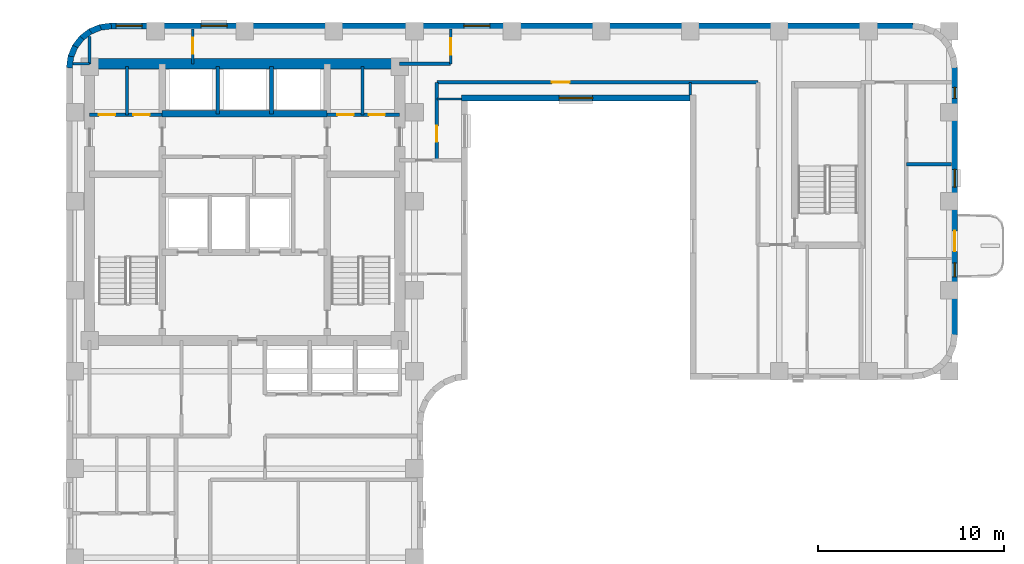
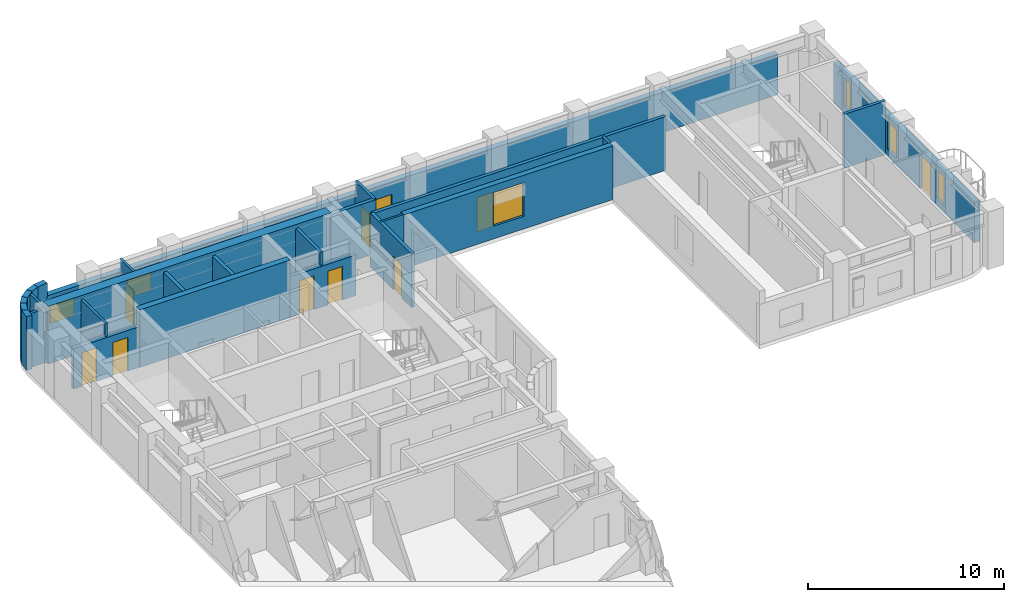
# One storey, part 6 of 10: 27 walls, 9 doors, 7 windows, 16 openings.
"""IFC4 building model written with IfcOpenShell, lengths in metres."""

from ifc_helpers import new_model, si_unit, direction, frame, frame_2d, origin, place, context, subcontext, project, spatial, rectangle, extrude, material, layer, layer_set, type_object, element, fill, save


model = new_model("IFC4")

# Units and contexts
model_context = context("Model", 3, precision=1e-05, world=origin(), true_north=direction((0.0, 1.0)))
body_context = subcontext(model_context, "Body", "Model", "MODEL_VIEW")
ifc_project = project(units=[si_unit("LENGTHUNIT", "METRE"), si_unit("AREAUNIT", "SQUARE_METRE"), si_unit("VOLUMEUNIT", "CUBIC_METRE"), si_unit("PLANEANGLEUNIT", "RADIAN"), si_unit("MASSUNIT", "GRAM", prefix="KILO")], contexts=[model_context])

# Site, building, storey
site_placement = place(None, origin())
site = spatial("IfcSite", under=ifc_project, at=site_placement, CompositionType="ELEMENT")
building_placement = place(site_placement, origin())
building = spatial("IfcBuilding", under=site, at=building_placement, Name="Orvandelia Arch Residences", CompositionType="ELEMENT")
storey_placement = place(building_placement, frame((0.0, 0.0, 182.800048828125)))
storey = spatial("IfcBuildingStorey", under=building, at=storey_placement, Name="L48", CompositionType="ELEMENT", Elevation=182.800048828125)

# Walls
ifc_material_1 = material(Name="Concrete C50/60", Category="concrete")
ifc_layer_1 = layer(ifc_material_1, 0.35009765625, Name="Concrete C50/60", Category="concrete")
ifc_layer_set_1 = layer_set([ifc_layer_1], Name="Concrete C50/60")
wall_type_1 = type_object("IfcWallType", Name="WL-CORE-350", PredefinedType="SHEAR", material=ifc_layer_set_1)
wall_1_placement = place(storey_placement, frame((9.9599609375, 43.10009765625, 0.0), z_axis=(0.0, 0.0, 1.0), x_axis=(1.0, 0.0, 0.0)))
element("IfcWall", 1, at=wall_1_placement, inside=storey, type_object=wall_type_1, Name="Core Shear Wall L48-HZ4", PredefinedType="SHEAR", context=body_context, shape_type="SweptSolid", body=[
    extrude(rectangle(XDim=8.880126953125, YDim=0.35009765625, at=frame_2d((4.43994140625, 0.0))), origin(), (0.0, 0.0, 1.0), 3.599853515625),
])
ifc_material_2 = material(Name="Concrete C60/75", Category="concrete")
ifc_layer_2 = layer(ifc_material_2, 0.550048828125, Name="Concrete C60/75", Category="concrete")
ifc_layer_set_2 = layer_set([ifc_layer_2], Name="Concrete C60/75")
wall_type_2 = type_object("IfcWallType", Name="WL-CORE-550", PredefinedType="SHEAR", material=ifc_layer_set_2)
wall_2_placement = place(storey_placement, frame((6.050048828125, 45.800048828125, 0.0), z_axis=(0.0, 0.0, 1.0), x_axis=(1.0, 0.0, 0.0)))
element("IfcWall", 2, at=wall_2_placement, inside=storey, type_object=wall_type_2, Name="Core Shear Wall L48-N", PredefinedType="SHEAR", context=body_context, shape_type="SweptSolid", body=[
    extrude(rectangle(XDim=16.699951171875, YDim=0.550048828125, at=frame_2d((8.35009765625, 0.0))), origin(), (0.0, 0.0, 1.0), 3.599853515625),
])
ifc_material_3 = material(Name="Fire-Rated Corridor Partition")
ifc_layer_3 = layer(ifc_material_3, 0.199951171875, Name="Fire-Rated Corridor Partition")
ifc_layer_set_3 = layer_set([ifc_layer_3], Name="Fire-Rated Corridor Partition")
wall_type_3 = type_object("IfcWallType", Name="WL-CORR-200", PredefinedType="PARTITIONING", material=ifc_layer_set_3)
wall_3_placement = place(storey_placement, frame((22.75, 45.800048828125, 0.0), z_axis=(0.0, 0.0, 1.0), x_axis=(1.0, 0.0, 0.0)))
element("IfcWall", 3, at=wall_3_placement, inside=storey, type_object=wall_type_3, Name="Interior Partition Wall WL-L48-NCE-S", PredefinedType="PARTITIONING", context=body_context, shape_type="SweptSolid", body=[
    extrude(rectangle(XDim=2.75, YDim=0.199951171875, at=frame_2d((1.375, 0.0))), origin(), (0.0, 0.0, 1.0), 3.35986328125),
])

# Wall, opening, door
wall_4_placement = place(storey_placement, frame((24.75, 44.800048828125, 0.0), z_axis=(0.0, 0.0, 1.0), x_axis=(1.0, 0.0, 0.0)))
wall_4 = element("IfcWall", 4, at=wall_4_placement, inside=storey, type_object=wall_type_3, Name="Interior Partition Wall WL-L48-ENP-S1", PredefinedType="PARTITIONING", context=body_context, shape_type="SweptSolid", body=[
    extrude(rectangle(XDim=17.300048828125, YDim=0.199951171875, at=frame_2d((8.64990234375, 0.0))), origin(), (0.0, 0.0, 1.0), 3.35986328125),
])
opening_1_placement = place(wall_4_placement, frame((6.199951171875, 0.0, 0.0)))
opening_1 = element("IfcOpeningElement", 5, at=opening_1_placement, cuts=wall_4, Name="Opening D2", PredefinedType="OPENING", context=body_context, shape_type="SweptSolid", body=[
    extrude(rectangle(XDim=0.949951171875, YDim=2.14990234375, at=frame_2d((0.47509765625, 1.074951171875))), frame((0.0, 0.10986328125, 0.0), z_axis=(0.0, -1.0, 0.0), x_axis=(1.0, 0.0, 0.0)), (0.0, 0.0, 1.0), 0.219970703125),
])
ifc_material_4 = material(Name="Solid-Core Timber Interior Fire Door", Category="wood")
door_type_1 = type_object("IfcDoorType", Name="DR-APT-950", OperationType="NOTDEFINED", PredefinedType="DOOR", material=ifc_material_4)
door_1_placement = place(opening_1_placement, origin())
door_1 = element("IfcDoor", 6, at=door_1_placement, inside=storey, type_object=door_type_1, Name="DR-L48-VPBRG", OperationType="SINGLE_SWING_LEFT", OverallHeight=2.14990234375, OverallWidth=0.949951171875, PredefinedType="DOOR", context=body_context, shape_type="SweptSolid", body=[
    extrude(rectangle(XDim=0.949951171875, YDim=2.14990234375, at=frame_2d((0.47509765625, 1.074951171875))), frame((0.0, 0.02490234375, 0.0), z_axis=(0.0, -1.0, 0.0), x_axis=(1.0, 0.0, 0.0)), (0.0, 0.0, 1.0), 0.050048828125),
])
fill(opening_1, door_1)

wall_5_placement = place(storey_placement, frame((24.75, 40.60009765625, 0.0), z_axis=(0.0, 0.0, 1.0), x_axis=(0.0, 1.0, 0.0)))
wall_5 = element("IfcWall", 7, at=wall_5_placement, inside=storey, type_object=wall_type_3, Name="Interior Partition Wall WL-L48-ENP-LW", PredefinedType="PARTITIONING", context=body_context, shape_type="SweptSolid", body=[
    extrude(rectangle(XDim=4.199951171875, YDim=0.199951171875, at=frame_2d((2.10009765625, 0.0))), origin(), (0.0, 0.0, 1.0), 3.35986328125),
])
opening_2_placement = place(wall_5_placement, frame((1.0, 0.0, 0.0)))
opening_2 = element("IfcOpeningElement", 8, at=opening_2_placement, cuts=wall_5, Name="Opening D4", PredefinedType="OPENING", context=body_context, shape_type="SweptSolid", body=[
    extrude(rectangle(XDim=0.860107421875, YDim=2.10009765625, at=frame_2d((0.43017578125, 1.050048828125))), frame((0.0, 0.10986328125, 0.0), z_axis=(0.0, -1.0, 0.0), x_axis=(1.0, 0.0, 0.0)), (0.0, 0.0, 1.0), 0.219970703125),
])
ifc_material_5 = material(Name="Moisture-Sealed Timber Bathroom Door", Category="wood")
door_type_2 = type_object("IfcDoorType", Name="DR-WET-900", OperationType="NOTDEFINED", PredefinedType="DOOR", material=ifc_material_5)
door_2_placement = place(opening_2_placement, origin())
door_2 = element("IfcDoor", 9, at=door_2_placement, inside=storey, type_object=door_type_2, Name="DR-L48-VPWNK", OperationType="SINGLE_SWING_RIGHT", OverallHeight=2.10009765625, OverallWidth=0.860107421875, PredefinedType="DOOR", context=body_context, shape_type="SweptSolid", body=[
    extrude(rectangle(XDim=0.860107421875, YDim=2.10009765625, at=frame_2d((0.43017578125, 1.050048828125))), frame((0.0, 0.02490234375, 0.0), z_axis=(0.0, -1.0, 0.0), x_axis=(1.0, 0.0, 0.0)), (0.0, 0.0, 1.0), 0.050048828125),
])
fill(opening_2, door_2)

# Walls
ifc_material_6 = material(Name="Precast concrete C40/50", Category="concrete")
ifc_layer_4 = layer(ifc_material_6, 0.320068359375, Name="Precast concrete C40/50", Category="concrete")
ifc_layer_set_4 = layer_set([ifc_layer_4], Name="Precast concrete C40/50")
wall_type_4 = type_object("IfcWallType", Name="WL-EXT-STONE-320", PredefinedType="STANDARD", material=ifc_layer_set_4)
for number, where, z_axis, x_axis, name in (
    (10, (4.95849609375, 45.5791015625, 0.0), (0.0, 0.0, 1.0), (0.130555323746, 0.9914410257, 0.0), "Coral-Limestone Precast Facade Wall L48-001"),
    (11, (5.029541015625, 46.159912109375, 0.0), (0.0, 0.0, 1.0), (0.382650053678, 0.92389335771, 0.0), "Coral-Limestone Precast Facade Wall L48-002"),
):
    element("IfcWall", number, at=place(storey_placement, frame(where, z_axis=z_axis, x_axis=x_axis)), inside=storey, type_object=wall_type_4, Name=name, PredefinedType="STANDARD", context=body_context, shape_type="SweptSolid", body=[
        extrude(rectangle(XDim=0.62646484375, YDim=0.320068359375, at=frame_2d((0.313232421875, 0.0))), origin(), (0.0, 0.0, 1.0), 3.35986328125),
    ])
wall_6_placement = place(storey_placement, frame((5.248291015625, 46.70263671875, 0.0), z_axis=(0.0, 0.0, 1.0), x_axis=(0.608938521285, 0.7932174212, 0.0)))
element("IfcWall", 12, at=wall_6_placement, inside=storey, type_object=wall_type_4, Name="Coral-Limestone Precast Facade Wall L48-003", PredefinedType="STANDARD", context=body_context, shape_type="SweptSolid", body=[
    extrude(rectangle(XDim=0.626708984375, YDim=0.320068359375, at=frame_2d((0.3134765625, 0.0))), origin(), (0.0, 0.0, 1.0), 3.35986328125),
])
wall_7_placement = place(storey_placement, frame((5.600341796875, 47.170166015625, 0.0), z_axis=(0.0, 0.0, 1.0), x_axis=(0.793405610854, 0.608693302629, 0.0)))
element("IfcWall", 13, at=wall_7_placement, inside=storey, type_object=wall_type_4, Name="Coral-Limestone Precast Facade Wall L48-004", PredefinedType="STANDARD", context=body_context, shape_type="SweptSolid", body=[
    extrude(rectangle(XDim=0.62646484375, YDim=0.320068359375, at=frame_2d((0.313232421875, 0.0))), origin(), (0.0, 0.0, 1.0), 3.35986328125),
])
wall_8_placement = place(storey_placement, frame((6.061279296875, 47.53076171875, 0.0), z_axis=(0.0, 0.0, 1.0), x_axis=(0.923836271867, 0.382787856107, 0.0)))
element("IfcWall", 14, at=wall_8_placement, inside=storey, type_object=wall_type_4, Name="Coral-Limestone Precast Facade Wall L48-005", PredefinedType="STANDARD", context=body_context, shape_type="SweptSolid", body=[
    extrude(rectangle(XDim=0.626220703125, YDim=0.320068359375, at=frame_2d((0.31298828125, 0.0))), origin(), (0.0, 0.0, 1.0), 3.35986328125),
])
wall_9_placement = place(storey_placement, frame((6.599609375, 47.759521484375, 0.0), z_axis=(0.0, 0.0, 1.0), x_axis=(0.991447664465, 0.130504898859, 0.0)))
element("IfcWall", 15, at=wall_9_placement, inside=storey, type_object=wall_type_4, Name="Coral-Limestone Precast Facade Wall L48-006", PredefinedType="STANDARD", context=body_context, shape_type="SweptSolid", body=[
    extrude(rectangle(XDim=0.626708984375, YDim=0.320068359375, at=frame_2d((0.3134765625, 0.0))), origin(), (0.0, 0.0, 1.0), 3.35986328125),
])

# Wall, openings, windows
wall_10_placement = place(storey_placement, frame((7.199951171875, 47.840087890625, 0.0), z_axis=(0.0, 0.0, 1.0), x_axis=(1.0, 0.0, 0.0)))
wall_10 = element("IfcWall", 16, at=wall_10_placement, inside=storey, type_object=wall_type_4, Name="Coral-Limestone Precast Facade Wall L48-007", PredefinedType="STANDARD", context=body_context, shape_type="SweptSolid", body=[
    extrude(rectangle(XDim=43.199951171875, YDim=0.320068359375, at=frame_2d((21.60009765625, 0.0))), origin(), (0.0, 0.0, 1.0), 2.5400390625),
])
opening_3_placement = place(wall_10_placement, frame((19.00244140625, 0.0, 0.64990234375)))
opening_3 = element("IfcOpeningElement", 17, at=opening_3_placement, cuts=wall_10, Name="Opening W10", PredefinedType="OPENING", context=body_context, shape_type="SweptSolid", body=[
    extrude(rectangle(XDim=1.39990234375, YDim=1.10009765625, at=frame_2d((0.699951171875, 0.550048828125))), frame((0.0, 0.169921875, 0.0), z_axis=(0.0, -1.0, 0.0), x_axis=(1.0, 0.0, 0.0)), (0.0, 0.0, 1.0), 0.340087890625),
])
opening_4_placement = place(wall_10_placement, frame((0.282470703125, 0.0, 0.64990234375)))
opening_4 = element("IfcOpeningElement", 18, at=opening_4_placement, cuts=wall_10, Name="Opening W10", PredefinedType="OPENING", context=body_context, shape_type="SweptSolid", body=[
    extrude(rectangle(XDim=1.39990234375, YDim=1.10009765625, at=frame_2d((0.699951171875, 0.550048828125))), frame((0.0, 0.169921875, 0.0), z_axis=(0.0, -1.0, 0.0), x_axis=(1.0, 0.0, 0.0)), (0.0, 0.0, 1.0), 0.340087890625),
])
opening_5_placement = place(wall_10_placement, frame((4.8525390625, 0.0, 0.64990234375)))
opening_5 = element("IfcOpeningElement", 19, at=opening_5_placement, cuts=wall_10, Name="Opening W10", PredefinedType="OPENING", context=body_context, shape_type="SweptSolid", body=[
    extrude(rectangle(XDim=1.39990234375, YDim=1.10009765625, at=frame_2d((0.699951171875, 0.550048828125))), frame((0.0, 0.169921875, 0.0), z_axis=(0.0, -1.0, 0.0), x_axis=(1.0, 0.0, 0.0)), (0.0, 0.0, 1.0), 0.340087890625),
])
ifc_material_7 = material(Name="Tempered Low-E Insulated Glazing", Category="glass")
window_type_1 = type_object("IfcWindowType", Name="WIN-CLR-1400x1100", PartitioningType="SINGLE_PANEL", PredefinedType="WINDOW", material=ifc_material_7)
window_1_placement = place(opening_3_placement, origin())
window_1 = element("IfcWindow", 20, at=window_1_placement, inside=storey, type_object=window_type_1, Name="Recessed Punched Window L48-001", OverallHeight=1.10009765625, OverallWidth=1.39990234375, PartitioningType="SINGLE_PANEL", PredefinedType="WINDOW", context=body_context, shape_type="SweptSolid", body=[
    extrude(rectangle(XDim=1.39990234375, YDim=1.10009765625, at=frame_2d((0.699951171875, 0.550048828125))), frame((0.0, 0.030029296875, 0.0), z_axis=(0.0, -1.0, 0.0), x_axis=(1.0, 0.0, 0.0)), (0.0, 0.0, 1.0), 0.06005859375),
])
fill(opening_3, window_1)
window_2_placement = place(opening_4_placement, origin())
window_2 = element("IfcWindow", 21, at=window_2_placement, inside=storey, type_object=window_type_1, Name="Recessed Punched Window L48-002", OverallHeight=1.10009765625, OverallWidth=1.39990234375, PartitioningType="SINGLE_PANEL", PredefinedType="WINDOW", context=body_context, shape_type="SweptSolid", body=[
    extrude(rectangle(XDim=1.39990234375, YDim=1.10009765625, at=frame_2d((0.699951171875, 0.550048828125))), frame((0.0, 0.030029296875, 0.0), z_axis=(0.0, -1.0, 0.0), x_axis=(1.0, 0.0, 0.0)), (0.0, 0.0, 1.0), 0.06005859375),
])
fill(opening_4, window_2)
window_3_placement = place(opening_5_placement, origin())
window_3 = element("IfcWindow", 22, at=window_3_placement, inside=storey, type_object=window_type_1, Name="Recessed Punched Window L48-003", OverallHeight=1.10009765625, OverallWidth=1.39990234375, PartitioningType="SINGLE_PANEL", PredefinedType="WINDOW", context=body_context, shape_type="SweptSolid", body=[
    extrude(rectangle(XDim=1.39990234375, YDim=1.10009765625, at=frame_2d((0.699951171875, 0.550048828125))), frame((0.0, 0.030029296875, 0.0), z_axis=(0.0, -1.0, 0.0), x_axis=(1.0, 0.0, 0.0)), (0.0, 0.0, 1.0), 0.06005859375),
])
fill(opening_5, window_3)

# Wall, openings, door, windows
wall_11_placement = place(storey_placement, frame((52.639892578125, 45.60009765625, 0.0), z_axis=(0.0, 0.0, 1.0), x_axis=(0.0, -1.0, 0.0)))
wall_11 = element("IfcWall", 23, at=wall_11_placement, inside=storey, type_object=wall_type_4, Name="Coral-Limestone Precast Facade Wall L48-014", PredefinedType="STANDARD", context=body_context, shape_type="SweptSolid", body=[
    extrude(rectangle(XDim=14.400146484375, YDim=0.320068359375, at=frame_2d((7.2001953125, 0.0))), origin(), (0.0, 0.0, 1.0), 2.5400390625),
])
opening_6_placement = place(wall_11_placement, frame((8.800048828125, 0.0, 0.0)))
opening_6 = element("IfcOpeningElement", 24, at=opening_6_placement, cuts=wall_11, Name="Opening BD1", PredefinedType="OPENING", context=body_context, shape_type="SweptSolid", body=[
    extrude(rectangle(XDim=1.10009765625, YDim=2.14990234375, at=frame_2d((0.550048828125, 1.074951171875))), frame((0.0, 0.169921875, 0.0), z_axis=(0.0, -1.0, 0.0), x_axis=(1.0, 0.0, 0.0)), (0.0, 0.0, 1.0), 0.340087890625),
])
opening_7_placement = place(wall_11_placement, frame((10.51953125, 0.0, 0.449951171875)))
opening_7 = element("IfcOpeningElement", 25, at=opening_7_placement, cuts=wall_11, Name="Opening W11", PredefinedType="OPENING", context=body_context, shape_type="SweptSolid", body=[
    extrude(rectangle(XDim=0.75, YDim=1.800048828125, at=frame_2d((0.375, 0.89990234375))), frame((0.0, 0.169921875, 0.0), z_axis=(0.0, -1.0, 0.0), x_axis=(1.0, 0.0, 0.0)), (0.0, 0.0, 1.0), 0.340087890625),
])
opening_8_placement = place(wall_11_placement, frame((1.0625, 0.0, 0.449951171875)))
opening_8 = element("IfcOpeningElement", 26, at=opening_8_placement, cuts=wall_11, Name="Opening W12", PredefinedType="OPENING", context=body_context, shape_type="SweptSolid", body=[
    extrude(rectangle(XDim=0.60009765625, YDim=1.800048828125, at=frame_2d((0.300048828125, 0.89990234375))), frame((0.0, 0.169921875, 0.0), z_axis=(0.0, -1.0, 0.0), x_axis=(1.0, 0.0, 0.0)), (0.0, 0.0, 1.0), 0.340087890625),
])
opening_9_placement = place(wall_11_placement, frame((5.486083984375, 0.0, 0.449951171875)))
opening_9 = element("IfcOpeningElement", 27, at=opening_9_placement, cuts=wall_11, Name="Opening W4", PredefinedType="OPENING", context=body_context, shape_type="SweptSolid", body=[
    extrude(rectangle(XDim=0.949951171875, YDim=1.800048828125, at=frame_2d((0.47509765625, 0.89990234375))), frame((0.0, 0.169921875, 0.0), z_axis=(0.0, -1.0, 0.0), x_axis=(1.0, 0.0, 0.0)), (0.0, 0.0, 1.0), 0.340087890625),
])
ifc_material_8 = material(Name="Thermally Broken Aluminium Glazed Door", Category="aluminium")
door_type_3 = type_object("IfcDoorType", Name="DR-BAL-GLAZ-1100", OperationType="NOTDEFINED", PredefinedType="DOOR", material=ifc_material_8)
door_3_placement = place(opening_6_placement, origin())
door_3 = element("IfcDoor", 28, at=door_3_placement, inside=storey, type_object=door_type_3, Name="Tree Balcony Glazed Door BAL-L48-E1", OperationType="SINGLE_SWING_LEFT", OverallHeight=2.14990234375, OverallWidth=1.10009765625, PredefinedType="DOOR", context=body_context, shape_type="SweptSolid", body=[
    extrude(rectangle(XDim=1.10009765625, YDim=2.14990234375, at=frame_2d((0.550048828125, 1.074951171875))), frame((0.0, 0.02490234375, 0.0), z_axis=(0.0, -1.0, 0.0), x_axis=(1.0, 0.0, 0.0)), (0.0, 0.0, 1.0), 0.050048828125),
])
fill(opening_6, door_3)
window_type_2 = type_object("IfcWindowType", Name="WIN-BED-0750x1800", PartitioningType="SINGLE_PANEL", PredefinedType="WINDOW", material=ifc_material_7)
window_4_placement = place(opening_7_placement, origin())
window_4 = element("IfcWindow", 29, at=window_4_placement, inside=storey, type_object=window_type_2, Name="Recessed Punched Window L48-004", OverallHeight=1.800048828125, OverallWidth=0.75, PartitioningType="SINGLE_PANEL", PredefinedType="WINDOW", context=body_context, shape_type="SweptSolid", body=[
    extrude(rectangle(XDim=0.75, YDim=1.800048828125, at=frame_2d((0.375, 0.89990234375))), frame((0.0, 0.030029296875, 0.0), z_axis=(0.0, -1.0, 0.0), x_axis=(1.0, 0.0, 0.0)), (0.0, 0.0, 1.0), 0.06005859375),
])
fill(opening_7, window_4)
window_type_3 = type_object("IfcWindowType", Name="WIN-LAN-0600x1800", PartitioningType="SINGLE_PANEL", PredefinedType="WINDOW", material=ifc_material_7)
window_5_placement = place(opening_8_placement, origin())
window_5 = element("IfcWindow", 30, at=window_5_placement, inside=storey, type_object=window_type_3, Name="Recessed Punched Window L48-005", OverallHeight=1.800048828125, OverallWidth=0.60009765625, PartitioningType="SINGLE_PANEL", PredefinedType="WINDOW", context=body_context, shape_type="SweptSolid", body=[
    extrude(rectangle(XDim=0.60009765625, YDim=1.800048828125, at=frame_2d((0.300048828125, 0.89990234375))), frame((0.0, 0.030029296875, 0.0), z_axis=(0.0, -1.0, 0.0), x_axis=(1.0, 0.0, 0.0)), (0.0, 0.0, 1.0), 0.06005859375),
])
fill(opening_8, window_5)
window_type_4 = type_object("IfcWindowType", Name="WIN-RES-0950x1800", PartitioningType="SINGLE_PANEL", PredefinedType="WINDOW", material=ifc_material_7)
window_6_placement = place(opening_9_placement, origin())
window_6 = element("IfcWindow", 31, at=window_6_placement, inside=storey, type_object=window_type_4, Name="Recessed Punched Window L48-006", OverallHeight=1.800048828125, OverallWidth=0.949951171875, PartitioningType="SINGLE_PANEL", PredefinedType="WINDOW", context=body_context, shape_type="SweptSolid", body=[
    extrude(rectangle(XDim=0.949951171875, YDim=1.800048828125, at=frame_2d((0.47509765625, 0.89990234375))), frame((0.0, 0.030029296875, 0.0), z_axis=(0.0, -1.0, 0.0), x_axis=(1.0, 0.0, 0.0)), (0.0, 0.0, 1.0), 0.06005859375),
])
fill(opening_9, window_6)

# Wall, opening, window
wall_12_placement = place(storey_placement, frame((38.39990234375, 43.9599609375, 0.0), z_axis=(0.0, 0.0, 1.0), x_axis=(-1.0, 0.0, 0.0)))
wall_12 = element("IfcWall", 32, at=wall_12_placement, inside=storey, type_object=wall_type_4, Name="Coral-Limestone Precast Facade Wall L48-023", PredefinedType="STANDARD", context=body_context, shape_type="SweptSolid", body=[
    extrude(rectangle(XDim=12.31982421875, YDim=0.320068359375, at=frame_2d((6.159912109375, 0.0))), origin(), (0.0, 0.0, 1.0), 3.35986328125),
])
opening_10_placement = place(wall_12_placement, frame((5.260009765625, 0.0, 0.800048828125)))
opening_10 = element("IfcOpeningElement", 33, at=opening_10_placement, cuts=wall_12, Name="Opening W1", PredefinedType="OPENING", context=body_context, shape_type="SweptSolid", body=[
    extrude(rectangle(XDim=1.800048828125, YDim=2.10009765625, at=frame_2d((0.89990234375, 1.050048828125))), frame((0.0, 0.169921875, 0.0), z_axis=(0.0, -1.0, 0.0), x_axis=(1.0, 0.0, 0.0)), (0.0, 0.0, 1.0), 0.340087890625),
])
window_type_5 = type_object("IfcWindowType", Name="WIN-RES-1800x2100", PartitioningType="SINGLE_PANEL", PredefinedType="WINDOW", material=ifc_material_7)
window_7_placement = place(opening_10_placement, origin())
window_7 = element("IfcWindow", 34, at=window_7_placement, inside=storey, type_object=window_type_5, Name="Recessed Punched Window L48-012", OverallHeight=2.10009765625, OverallWidth=1.800048828125, PartitioningType="SINGLE_PANEL", PredefinedType="WINDOW", context=body_context, shape_type="SweptSolid", body=[
    extrude(rectangle(XDim=1.800048828125, YDim=2.10009765625, at=frame_2d((0.89990234375, 1.050048828125))), frame((0.0, 0.030029296875, 0.0), z_axis=(0.0, -1.0, 0.0), x_axis=(1.0, 0.0, 0.0)), (0.0, 0.0, 1.0), 0.06005859375),
])
fill(opening_10, window_7)

# Walls
ifc_material_9 = material(Name="Lightweight Gypsum Stud Partition")
ifc_layer_5 = layer(ifc_material_9, 0.1201171875, Name="Lightweight Gypsum Stud Partition")
ifc_layer_set_5 = layer_set([ifc_layer_5], Name="Lightweight Gypsum Stud Partition")
wall_type_5 = type_object("IfcWallType", Name="WL-PART-120", PredefinedType="PARTITIONING", material=ifc_layer_set_5)
wall_13_placement = place(storey_placement, frame((24.75, 43.89990234375, 0.0), z_axis=(0.0, 0.0, 1.0), x_axis=(1.0, 0.0, 0.0)))
element("IfcWall", 35, at=wall_13_placement, inside=storey, type_object=wall_type_5, Name="Interior Partition Wall WL-L48-VPWNK-N", PredefinedType="PARTITIONING", context=body_context, shape_type="SweptSolid", body=[
    extrude(rectangle(XDim=1.330078125, YDim=0.1201171875, at=frame_2d((0.6650390625, 0.0))), origin(), (0.0, 0.0, 1.0), 3.35986328125),
])
ifc_material_10 = material(Name="Acoustic Gypsum Stud Partition")
ifc_layer_6 = layer(ifc_material_10, 0.14990234375, Name="Acoustic Gypsum Stud Partition")
ifc_layer_set_6 = layer_set([ifc_layer_6], Name="Acoustic Gypsum Stud Partition")
wall_type_6 = type_object("IfcWallType", Name="WL-PART-150", PredefinedType="PARTITIONING", material=ifc_layer_set_6)
wall_14_placement = place(storey_placement, frame((8.06005859375, 43.050048828125, 0.0), z_axis=(0.0, 0.0, 1.0), x_axis=(0.0, 1.0, 0.0)))
element("IfcWall", 36, at=wall_14_placement, inside=storey, type_object=wall_type_6, Name="Interior Partition Wall WL-L48-CRELC-M", PredefinedType="PARTITIONING", context=body_context, shape_type="SweptSolid", body=[
    extrude(rectangle(XDim=2.599853515625, YDim=0.14990234375, at=frame_2d((1.2998046875, 0.0))), origin(), (0.0, 0.0, 1.0), 3.35986328125),
])
wall_15_placement = place(storey_placement, frame((5.159912109375, 45.800048828125, 0.0), z_axis=(0.0, 0.0, 1.0), x_axis=(1.0, 0.0, 0.0)))
element("IfcWall", 37, at=wall_15_placement, inside=storey, type_object=wall_type_6, Name="Interior Partition Wall WL-L48-WF-N", PredefinedType="PARTITIONING", context=body_context, shape_type="SweptSolid", body=[
    extrude(rectangle(XDim=0.89013671875, YDim=0.14990234375, at=frame_2d((0.445068359375, 0.0))), origin(), (0.0, 0.0, 1.0), 3.35986328125),
])

# Wall, opening, door
wall_16_placement = place(storey_placement, frame((25.5, 45.800048828125, 0.0), z_axis=(0.0, 0.0, 1.0), x_axis=(0.0, 1.0, 0.0)))
wall_16 = element("IfcWall", 38, at=wall_16_placement, inside=storey, type_object=wall_type_6, Name="Interior Partition Wall WL-L48-NCE-W", PredefinedType="PARTITIONING", context=body_context, shape_type="SweptSolid", body=[
    extrude(rectangle(XDim=1.8798828125, YDim=0.14990234375, at=frame_2d((0.93994140625, 0.0))), origin(), (0.0, 0.0, 1.0), 3.35986328125),
])
opening_11_placement = place(wall_16_placement, frame((0.5, 0.0, 0.0)))
opening_11 = element("IfcOpeningElement", 39, at=opening_11_placement, cuts=wall_16, Name="Opening D5", PredefinedType="OPENING", context=body_context, shape_type="SweptSolid", body=[
    extrude(rectangle(XDim=0.8798828125, YDim=2.10009765625, at=frame_2d((0.43994140625, 1.050048828125))), frame((0.0, 0.0849609375, 0.0), z_axis=(0.0, -1.0, 0.0), x_axis=(1.0, 0.0, 0.0)), (0.0, 0.0, 1.0), 0.169921875),
])
ifc_material_11 = material(Name="Painted Galvanised Steel Service Door", Category="steel")
door_type_4 = type_object("IfcDoorType", Name="DR-SRV-880", OperationType="NOTDEFINED", PredefinedType="DOOR", material=ifc_material_11)
door_4_placement = place(opening_11_placement, origin())
door_4 = element("IfcDoor", 40, at=door_4_placement, inside=storey, type_object=door_type_4, Name="DR-L48-NCS2", OperationType="SINGLE_SWING_LEFT", OverallHeight=2.10009765625, OverallWidth=0.8798828125, PredefinedType="DOOR", context=body_context, shape_type="SweptSolid", body=[
    extrude(rectangle(XDim=0.8798828125, YDim=2.10009765625, at=frame_2d((0.43994140625, 1.050048828125))), frame((0.0, 0.02490234375, 0.0), z_axis=(0.0, -1.0, 0.0), x_axis=(1.0, 0.0, 0.0)), (0.0, 0.0, 1.0), 0.050048828125),
])
fill(opening_11, door_4)

# Wall
wall_17_placement = place(storey_placement, frame((6.050048828125, 45.800048828125, 0.0), z_axis=(0.0, 0.0, 1.0), x_axis=(0.0, 1.0, 0.0)))
element("IfcWall", 41, at=wall_17_placement, inside=storey, type_object=wall_type_6, Name="Interior Partition Wall WL-L48-NC-W6", PredefinedType="PARTITIONING", context=body_context, shape_type="SweptSolid", body=[
    extrude(rectangle(XDim=1.4599609375, YDim=0.14990234375, at=frame_2d((0.72998046875, 0.0))), origin(), (0.0, 0.0, 1.0), 3.35986328125),
])

# Wall, opening, door
wall_18_placement = place(storey_placement, frame((11.60009765625, 45.800048828125, 0.0), z_axis=(0.0, 0.0, 1.0), x_axis=(0.0, 1.0, 0.0)))
wall_18 = element("IfcWall", 42, at=wall_18_placement, inside=storey, type_object=wall_type_6, Name="Interior Partition Wall WL-L48-NC-M", PredefinedType="PARTITIONING", context=body_context, shape_type="SweptSolid", body=[
    extrude(rectangle(XDim=1.8798828125, YDim=0.14990234375, at=frame_2d((0.93994140625, 0.0))), origin(), (0.0, 0.0, 1.0), 3.35986328125),
])
opening_12_placement = place(wall_18_placement, frame((0.550048828125, 0.0, 0.0)))
opening_12 = element("IfcOpeningElement", 43, at=opening_12_placement, cuts=wall_18, Name="Opening D4", PredefinedType="OPENING", context=body_context, shape_type="SweptSolid", body=[
    extrude(rectangle(XDim=0.860107421875, YDim=2.10009765625, at=frame_2d((0.43017578125, 1.050048828125))), frame((0.0, 0.0849609375, 0.0), z_axis=(0.0, -1.0, 0.0), x_axis=(1.0, 0.0, 0.0)), (0.0, 0.0, 1.0), 0.169921875),
])
door_5_placement = place(opening_12_placement, origin())
door_5 = element("IfcDoor", 44, at=door_5_placement, inside=storey, type_object=door_type_2, Name="DR-L48-NCS1", OperationType="SINGLE_SWING_LEFT", OverallHeight=2.10009765625, OverallWidth=0.860107421875, PredefinedType="DOOR", context=body_context, shape_type="SweptSolid", body=[
    extrude(rectangle(XDim=0.860107421875, YDim=2.10009765625, at=frame_2d((0.43017578125, 1.050048828125))), frame((0.0, 0.02490234375, 0.0), z_axis=(0.0, -1.0, 0.0), x_axis=(1.0, 0.0, 0.0)), (0.0, 0.0, 1.0), 0.050048828125),
])
fill(opening_12, door_5)

# Wall
wall_19_placement = place(storey_placement, frame((38.39990234375, 44.1201171875, 0.0), z_axis=(0.0, 0.0, 1.0), x_axis=(0.0, 1.0, 0.0)))
element("IfcWall", 45, at=wall_19_placement, inside=storey, type_object=wall_type_6, Name="Interior Partition Wall WL-L48-VPBRG-E", PredefinedType="PARTITIONING", context=body_context, shape_type="SweptSolid", body=[
    extrude(rectangle(XDim=0.679931640625, YDim=0.14990234375, at=frame_2d((0.33984375, 0.0))), origin(), (0.0, 0.0, 1.0), 3.35986328125),
])

# Wall, openings, doors
ifc_material_12 = material(Name="Fire-Rated Shaft Enclosure Wall")
ifc_layer_7 = layer(ifc_material_12, 0.199951171875, Name="Fire-Rated Shaft Enclosure Wall")
ifc_layer_set_7 = layer_set([ifc_layer_7], Name="Fire-Rated Shaft Enclosure Wall")
wall_type_7 = type_object("IfcWallType", Name="WL-SHAFT-200", PredefinedType="POLYGONAL", material=ifc_layer_set_7)
wall_20_placement = place(storey_placement, frame((18.840087890625, 43.050048828125, 0.0), z_axis=(0.0, 0.0, 1.0), x_axis=(1.0, 0.0, 0.0)))
wall_20 = element("IfcWall", 46, at=wall_20_placement, inside=storey, type_object=wall_type_7, Name="Interior Partition Wall WL-L48-HLE-N", PredefinedType="POLYGONAL", context=body_context, shape_type="SweptSolid", body=[
    extrude(rectangle(XDim=3.909912109375, YDim=0.199951171875, at=frame_2d((1.955078125, 0.0))), origin(), (0.0, 0.0, 1.0), 2.5400390625),
])
opening_13_placement = place(wall_20_placement, frame((0.550048828125, 0.0, 0.0)))
opening_13 = element("IfcOpeningElement", 47, at=opening_13_placement, cuts=wall_20, Name="Opening D5", PredefinedType="OPENING", context=body_context, shape_type="SweptSolid", body=[
    extrude(rectangle(XDim=0.8798828125, YDim=2.10009765625, at=frame_2d((0.43994140625, 1.050048828125))), frame((0.0, 0.10986328125, 0.0), z_axis=(0.0, -1.0, 0.0), x_axis=(1.0, 0.0, 0.0)), (0.0, 0.0, 1.0), 0.219970703125),
])
opening_14_placement = place(wall_20_placement, frame((2.25, 0.0, 0.0)))
opening_14 = element("IfcOpeningElement", 48, at=opening_14_placement, cuts=wall_20, Name="Opening D4", PredefinedType="OPENING", context=body_context, shape_type="SweptSolid", body=[
    extrude(rectangle(XDim=0.860107421875, YDim=2.10009765625, at=frame_2d((0.43017578125, 1.050048828125))), frame((0.0, 0.10986328125, 0.0), z_axis=(0.0, -1.0, 0.0), x_axis=(1.0, 0.0, 0.0)), (0.0, 0.0, 1.0), 0.219970703125),
])
door_6_placement = place(opening_13_placement, origin())
door_6 = element("IfcDoor", 49, at=door_6_placement, inside=storey, type_object=door_type_4, Name="DR-L48-CSB1", OperationType="SINGLE_SWING_LEFT", OverallHeight=2.10009765625, OverallWidth=0.8798828125, PredefinedType="DOOR", context=body_context, shape_type="SweptSolid", body=[
    extrude(rectangle(XDim=0.8798828125, YDim=2.10009765625, at=frame_2d((0.43994140625, 1.050048828125))), frame((0.0, 0.02490234375, 0.0), z_axis=(0.0, -1.0, 0.0), x_axis=(1.0, 0.0, 0.0)), (0.0, 0.0, 1.0), 0.050048828125),
])
fill(opening_13, door_6)
door_7_placement = place(opening_14_placement, origin())
door_7 = element("IfcDoor", 50, at=door_7_placement, inside=storey, type_object=door_type_2, Name="DR-L48-CSB2", OperationType="SINGLE_SWING_LEFT", OverallHeight=2.10009765625, OverallWidth=0.860107421875, PredefinedType="DOOR", context=body_context, shape_type="SweptSolid", body=[
    extrude(rectangle(XDim=0.860107421875, YDim=2.10009765625, at=frame_2d((0.43017578125, 1.050048828125))), frame((0.0, 0.02490234375, 0.0), z_axis=(0.0, -1.0, 0.0), x_axis=(1.0, 0.0, 0.0)), (0.0, 0.0, 1.0), 0.050048828125),
])
fill(opening_14, door_7)

wall_21_placement = place(storey_placement, frame((6.050048828125, 43.050048828125, 0.0), z_axis=(0.0, 0.0, 1.0), x_axis=(1.0, 0.0, 0.0)))
wall_21 = element("IfcWall", 51, at=wall_21_placement, inside=storey, type_object=wall_type_7, Name="Interior Partition Wall WL-L48-HLW-N", PredefinedType="POLYGONAL", context=body_context, shape_type="SweptSolid", body=[
    extrude(rectangle(XDim=3.909912109375, YDim=0.199951171875, at=frame_2d((1.955078125, 0.0))), origin(), (0.0, 0.0, 1.0), 2.5400390625),
])
opening_15_placement = place(wall_21_placement, frame((0.5, 0.0, 0.0)))
opening_15 = element("IfcOpeningElement", 52, at=opening_15_placement, cuts=wall_21, Name="Opening D5", PredefinedType="OPENING", context=body_context, shape_type="SweptSolid", body=[
    extrude(rectangle(XDim=0.8798828125, YDim=2.10009765625, at=frame_2d((0.43994140625, 1.050048828125))), frame((0.0, 0.10986328125, 0.0), z_axis=(0.0, -1.0, 0.0), x_axis=(1.0, 0.0, 0.0)), (0.0, 0.0, 1.0), 0.219970703125),
])
opening_16_placement = place(wall_21_placement, frame((2.35009765625, 0.0, 0.0)))
opening_16 = element("IfcOpeningElement", 53, at=opening_16_placement, cuts=wall_21, Name="Opening D5", PredefinedType="OPENING", context=body_context, shape_type="SweptSolid", body=[
    extrude(rectangle(XDim=0.8798828125, YDim=2.10009765625, at=frame_2d((0.43994140625, 1.050048828125))), frame((0.0, 0.10986328125, 0.0), z_axis=(0.0, -1.0, 0.0), x_axis=(1.0, 0.0, 0.0)), (0.0, 0.0, 1.0), 0.219970703125),
])
door_8_placement = place(opening_15_placement, origin())
door_8 = element("IfcDoor", 54, at=door_8_placement, inside=storey, type_object=door_type_4, Name="DR-L48-CRELC1", OperationType="SINGLE_SWING_LEFT", OverallHeight=2.10009765625, OverallWidth=0.8798828125, PredefinedType="DOOR", context=body_context, shape_type="SweptSolid", body=[
    extrude(rectangle(XDim=0.8798828125, YDim=2.10009765625, at=frame_2d((0.43994140625, 1.050048828125))), frame((0.0, 0.02490234375, 0.0), z_axis=(0.0, -1.0, 0.0), x_axis=(1.0, 0.0, 0.0)), (0.0, 0.0, 1.0), 0.050048828125),
])
fill(opening_15, door_8)
door_9_placement = place(opening_16_placement, origin())
door_9 = element("IfcDoor", 55, at=door_9_placement, inside=storey, type_object=door_type_4, Name="DR-L48-CRELC2", OperationType="SINGLE_SWING_RIGHT", OverallHeight=2.10009765625, OverallWidth=0.8798828125, PredefinedType="DOOR", context=body_context, shape_type="SweptSolid", body=[
    extrude(rectangle(XDim=0.8798828125, YDim=2.10009765625, at=frame_2d((0.43994140625, 1.050048828125))), frame((0.0, 0.02490234375, 0.0), z_axis=(0.0, -1.0, 0.0), x_axis=(1.0, 0.0, 0.0)), (0.0, 0.0, 1.0), 0.050048828125),
])
fill(opening_16, door_9)

# Walls
for number, where, z_axis, x_axis, name in (
    (56, (12.949951171875, 43.10009765625, 0.0), (0.0, 0.0, 1.0), (0.0, 1.0, 0.0), "Interior Partition Wall WL-L48-PHD1"),
    (57, (15.85009765625, 43.10009765625, 0.0), (0.0, 0.0, 1.0), (0.0, 1.0, 0.0), "Interior Partition Wall WL-L48-PHD2"),
):
    element("IfcWall", number, at=place(storey_placement, frame(where, z_axis=z_axis, x_axis=x_axis)), inside=storey, type_object=wall_type_7, Name=name, PredefinedType="POLYGONAL", context=body_context, shape_type="SweptSolid", body=[
        extrude(rectangle(XDim=2.5498046875, YDim=0.199951171875, at=frame_2d((1.27490234375, 0.0))), origin(), (0.0, 0.0, 1.0), 3.35986328125),
    ])
ifc_material_13 = material(Name="Moisture-Resistant Plumbing Wall")
ifc_layer_8 = layer(ifc_material_13, 0.179931640625, Name="Moisture-Resistant Plumbing Wall")
ifc_layer_set_8 = layer_set([ifc_layer_8], Name="Moisture-Resistant Plumbing Wall")
wall_type_8 = type_object("IfcWallType", Name="WL-WET-180", PredefinedType="PLUMBINGWALL", material=ifc_layer_set_8)
wall_22_placement = place(storey_placement, frame((20.75, 43.050048828125, 0.0), z_axis=(0.0, 0.0, 1.0), x_axis=(0.0, 1.0, 0.0)))
element("IfcWall", 58, at=wall_22_placement, inside=storey, type_object=wall_type_8, Name="Interior Partition Wall WL-L48-CSB-1", PredefinedType="PLUMBINGWALL", context=body_context, shape_type="SweptSolid", body=[
    extrude(rectangle(XDim=2.599853515625, YDim=0.179931640625, at=frame_2d((1.2998046875, 0.0))), origin(), (0.0, 0.0, 1.0), 3.35986328125),
])
wall_23_placement = place(storey_placement, frame((50.04296875, 40.383056640625, 0.0), z_axis=(0.0, 0.0, 1.0), x_axis=(1.0, 0.0, 0.0)))
element("IfcWall", 59, at=wall_23_placement, inside=storey, type_object=wall_type_8, Name="Interior Partition Wall WL-L48-U05-H2", PredefinedType="PLUMBINGWALL", context=body_context, shape_type="SweptSolid", body=[
    extrude(rectangle(XDim=2.43701171875, YDim=0.179931640625, at=frame_2d((1.218505859375, 0.0))), origin(), (0.0, 0.0, 1.0), 3.35986328125),
])

save(model, "model.ifc")
